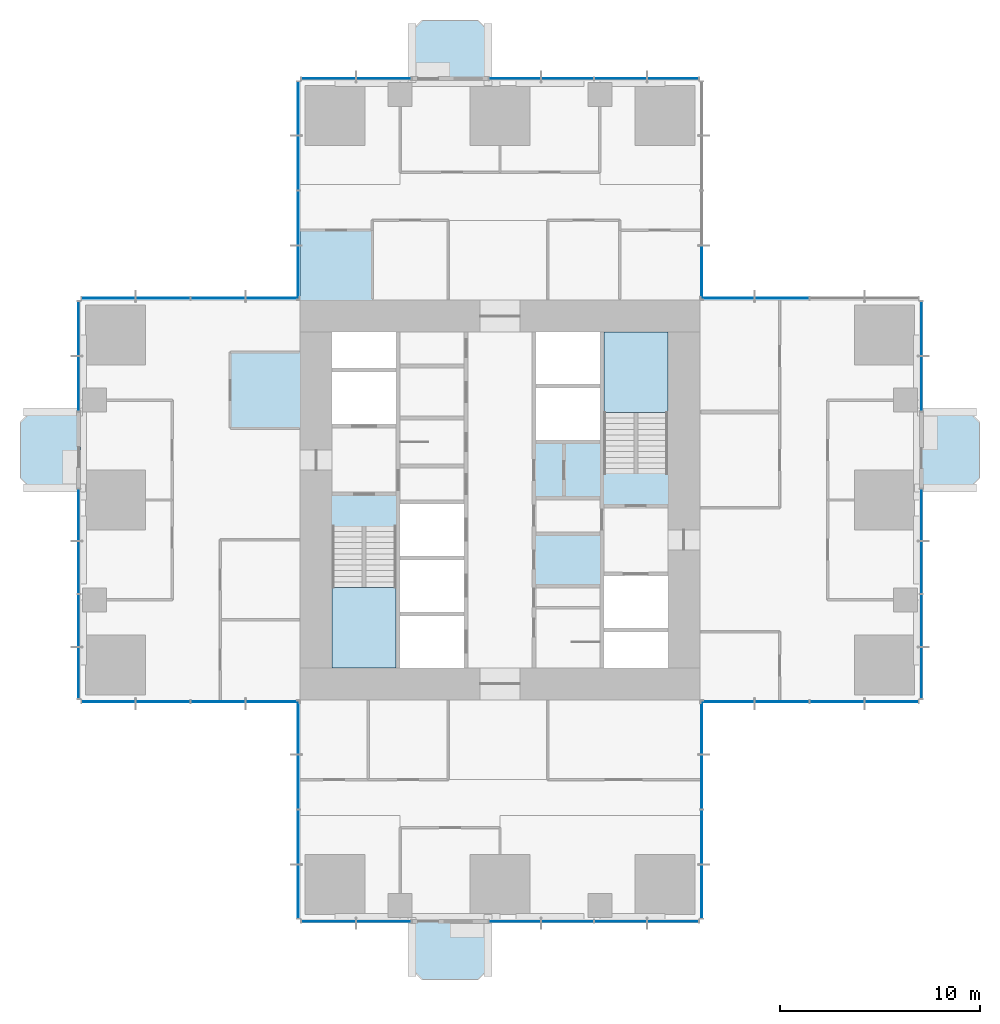
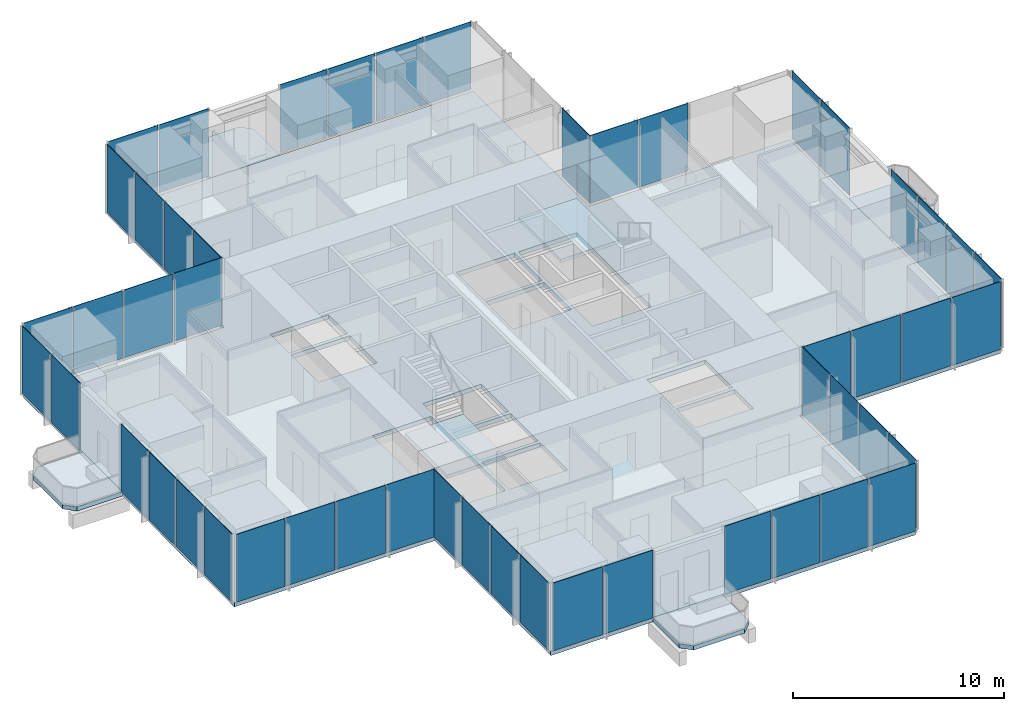
# One storey, part 7 of 14: 51 plates, 7 slabs, 18 elements without a shape of their own.
"""IFC4 building model written with IfcOpenShell, lengths in metres."""

import ifcopenshell
import ifcopenshell.guid

model = None  # the IFC model being written
_history = None  # IfcOwnerHistory: only IFC2X3 demands one
_inside = {}  # id of a spatial element -> (the spatial element, [elements in it])
_under = {}  # id of a project, library or spatial element -> (it, [spatial elements below it])
_declared = {}  # id of a project -> (the project, [libraries it declares])
_typed = {}  # id of a type object -> (the type object, [elements of that type])
_made_of = {}  # id of a material, layer set ... -> (it, [elements and type objects made of it])


def new_model(schema):
    """Start an empty IFC model of exactly this schema.

    Asked for "IFC4X3", IfcOpenShell would pick the latest addendum, in which some entities
    have other attributes; the version numbers below select the first issue.
    IFC2X3 requires an IfcOwnerHistory on every rooted entity: one is made here for all.
    """
    global model, _history
    if schema == "IFC4X3":
        model = ifcopenshell.file(schema_version=(4, 3, 0, 0))
    else:
        model = ifcopenshell.file(schema=schema)
    _inside.clear()
    _under.clear()
    _declared.clear()
    _typed.clear()
    _made_of.clear()
    _history = None
    if model.schema == "IFC2X3":
        org = make("IfcOrganization", Name="unknown")
        user = make(
            "IfcPersonAndOrganization",
            ThePerson=make("IfcPerson", FamilyName="unknown"),
            TheOrganization=org,
        )
        app = make(
            "IfcApplication",
            ApplicationDeveloper=org,
            Version="unknown",
            ApplicationFullName="unknown",
            ApplicationIdentifier="unknown",
        )
        _history = make(
            "IfcOwnerHistory",
            OwningUser=user,
            OwningApplication=app,
            ChangeAction="ADDED",
            CreationDate=0,
        )
    return model


def make(cls, **values):
    """One entity of the class cls with the attributes given. An attribute that is None is left unset."""
    return model.create_entity(
        cls, **{name: value for name, value in values.items() if value is not None}
    )


def rooted(cls, **values):
    """An entity with a GlobalId (a new one), such as an element, a storey or a relation."""
    return make(cls, GlobalId=ifcopenshell.guid.new(), OwnerHistory=_history, **values)


def si_unit(unit_type, name, prefix=None):
    """IfcSIUnit, for example si_unit("LENGTHUNIT", "METRE", prefix="MILLI")."""
    return make("IfcSIUnit", UnitType=unit_type, Prefix=prefix, Name=name)


def assignment(units):
    """IfcUnitAssignment: the units of a project."""
    return None if units is None else make("IfcUnitAssignment", Units=units)


def point(xyz):
    """IfcCartesianPoint."""
    return None if xyz is None else make("IfcCartesianPoint", Coordinates=xyz)


def direction(xyz):
    """IfcDirection."""
    return None if xyz is None else make("IfcDirection", DirectionRatios=xyz)


def frame(location, z_axis=None, x_axis=None):
    """IfcAxis2Placement3D, a coordinate frame: its origin and axes. An axis left out is left unset."""
    return make(
        "IfcAxis2Placement3D",
        Location=point(location),
        Axis=direction(z_axis),
        RefDirection=direction(x_axis),
    )


def frame_2d(location, x_axis=None):
    """IfcAxis2Placement2D, a coordinate frame in the plane: its origin and x axis."""
    return make(
        "IfcAxis2Placement2D", Location=point(location), RefDirection=direction(x_axis)
    )


def origin():
    """The frame at (0, 0, 0) with its axes left unset."""
    return frame((0.0, 0.0, 0.0))


def origin_2d():
    """The frame at (0, 0) in the plane with its x axis left unset."""
    return frame_2d((0.0, 0.0))


def place(relative_to, where):
    """IfcLocalPlacement: puts the frame where relative to a parent placement (None: the world)."""
    return make(
        "IfcLocalPlacement", PlacementRelTo=relative_to, RelativePlacement=where
    )


def context(
    kind, dimensions, precision=None, world=None, true_north=None, identifier=None
):
    """IfcGeometricRepresentationContext, for example the 3D "Model" context."""
    return make(
        "IfcGeometricRepresentationContext",
        ContextIdentifier=identifier,
        ContextType=kind,
        CoordinateSpaceDimension=dimensions,
        Precision=precision,
        WorldCoordinateSystem=world,
        TrueNorth=true_north,
    )


def subcontext(parent, identifier, kind, view, scale=None):
    """IfcGeometricRepresentationSubContext, for example "Body" below "Model"."""
    return make(
        "IfcGeometricRepresentationSubContext",
        ContextIdentifier=identifier,
        ContextType=kind,
        ParentContext=parent,
        TargetScale=scale,
        TargetView=view,
    )


def project(units=None, contexts=None):
    """IfcProject with its units and contexts."""
    return rooted(
        "IfcProject",
        Name="project",
        RepresentationContexts=contexts,
        UnitsInContext=assignment(units),
    )


def spatial(cls, under=None, at=None, **own):
    """A site, building, storey or space (cls), placed at a placement, below another one or the project."""
    s = rooted(cls, ObjectPlacement=at, **own)
    if under is not None:
        _under.setdefault(under.id(), (under, []))[1].append(s)
    return s


def polyline(points):
    """IfcPolyline through the points."""
    return make("IfcPolyline", Points=[point(p) for p in points])


def profile(cls, at=None, kind="AREA", **sizes):
    """A parametric profile (cls). Its sizes go by their IFC names, for example OverallWidth=200.0."""
    return make(cls, ProfileType=kind, Position=at, **sizes)


def rectangle(**sizes):
    """IfcRectangleProfileDef."""
    return profile("IfcRectangleProfileDef", **sizes)


def outline(outer, holes=None, kind="AREA"):
    """IfcArbitraryClosedProfileDef: a profile drawn as a closed curve; with holes, ...WithVoids."""
    if holes is None:
        return make("IfcArbitraryClosedProfileDef", ProfileType=kind, OuterCurve=outer)
    return make(
        "IfcArbitraryProfileDefWithVoids",
        ProfileType=kind,
        OuterCurve=outer,
        InnerCurves=holes,
    )


def extrude(swept, where, along, depth):
    """IfcExtrudedAreaSolid: the profile swept, set in the frame where, extruded along a direction by depth."""
    return make(
        "IfcExtrudedAreaSolid",
        SweptArea=swept,
        Position=where,
        ExtrudedDirection=direction(along),
        Depth=depth,
    )


def shape(context_of_items, identifier, shape_type, items):
    """IfcShapeRepresentation: the items that make up one representation, for example the "Body"."""
    return make(
        "IfcShapeRepresentation",
        ContextOfItems=context_of_items,
        RepresentationIdentifier=identifier,
        RepresentationType=shape_type,
        Items=items,
    )


def material(Name=None, Category=None):
    """IfcMaterial."""
    return make("IfcMaterial", Name=Name, Category=Category)


def layer(
    of_material, thickness, ventilated=None, Name=None, Category=None, Priority=None
):
    """IfcMaterialLayer: one layer of a wall or slab, of a material (None: an air gap)."""
    return make(
        "IfcMaterialLayer",
        Material=of_material,
        LayerThickness=thickness,
        IsVentilated=ventilated,
        Name=Name,
        Category=Category,
        Priority=Priority,
    )


def layer_set(layers, Name=None):
    """IfcMaterialLayerSet."""
    return make("IfcMaterialLayerSet", MaterialLayers=layers, LayerSetName=Name)


def made_of(thing, what):
    """Note that an element or type object is made of a material, layer set ...; save() writes the relation."""
    if what is not None:
        _made_of.setdefault(what.id(), (what, []))[1].append(thing)
    return thing


def type_object(cls, material=None, **own):
    """A type object (cls), such as IfcWallType, which elements share."""
    return made_of(rooted(cls, **own), material)


def element(
    cls,
    number,
    at=None,
    inside=None,
    cuts=None,
    type_object=None,
    material=None,
    context=None,
    identifier="Body",
    shape_type=None,
    held_by="IfcProductDefinitionShape",
    body=None,
    shapes=None,
    **own,
):
    """One element of the class cls, such as IfcWall. Its Tag is "e" and its number.

    at: its placement. inside: the storey or other place that contains it. cuts: it is an
    opening in that element (IfcRelVoidsElement). A single representation is given by context,
    identifier, shape_type and body (its items); several are given by shapes. held_by: the class
    of the entity that holds the representations. save() writes the other relations.
    """
    e = rooted(cls, Tag="e%d" % number, ObjectPlacement=at, **own)
    if body is not None:
        shapes = [shape(context, identifier, shape_type, body)]
    if shapes is not None:
        e.Representation = make(held_by, Representations=shapes)
    if inside is not None:
        _inside.setdefault(inside.id(), (inside, []))[1].append(e)
    if cuts is not None:
        rooted(
            "IfcRelVoidsElement", RelatingBuildingElement=cuts, RelatedOpeningElement=e
        )
    if type_object is not None:
        _typed.setdefault(type_object.id(), (type_object, []))[1].append(e)
    return made_of(e, material)


def aggregate(whole, parts):
    """IfcRelAggregates: a whole, such as a stair, and the parts it consists of."""
    return rooted("IfcRelAggregates", RelatingObject=whole, RelatedObjects=parts)


def save(model, path):
    """Write the relations noted so far, then the file.

    IfcRelAggregates (storeys below a building ...), IfcRelContainedInSpatialStructure (elements
    in a storey), IfcRelDefinesByType, IfcRelAssociatesMaterial and IfcRelDeclares: one each for
    every whole, place, type object, material and project.
    """
    for whole, parts in _under.values():
        aggregate(whole, parts)
    for where, things in _inside.values():
        rooted(
            "IfcRelContainedInSpatialStructure",
            RelatedElements=things,
            RelatingStructure=where,
        )
    for kind, things in _typed.values():
        rooted("IfcRelDefinesByType", RelatedObjects=things, RelatingType=kind)
    for what, things in _made_of.values():
        rooted("IfcRelAssociatesMaterial", RelatedObjects=things, RelatingMaterial=what)
    for by, libraries in _declared.values():
        rooted("IfcRelDeclares", RelatingContext=by, RelatedDefinitions=libraries)
    model.write(path)


model = new_model("IFC4")

# Units and contexts
model_context = context("Model", 3, precision=1e-05, world=origin(), true_north=direction((0.0, 1.0)))
body_context = subcontext(model_context, "Body", "Model", "MODEL_VIEW")
ifc_project = project(units=[si_unit("LENGTHUNIT", "METRE"), si_unit("AREAUNIT", "SQUARE_METRE"), si_unit("VOLUMEUNIT", "CUBIC_METRE"), si_unit("PLANEANGLEUNIT", "RADIAN"), si_unit("MASSUNIT", "GRAM", prefix="KILO")], contexts=[model_context])

# Site, building, storey
site_placement = place(None, origin())
site = spatial("IfcSite", under=ifc_project, at=site_placement, CompositionType="ELEMENT")
building_placement = place(site_placement, origin())
building = spatial("IfcBuilding", under=site, at=building_placement, Name="Svetlomir Tower", CompositionType="ELEMENT")
storey_placement = place(building_placement, frame((0.0, 0.0, 108.5)))
storey = spatial("IfcBuildingStorey", under=building, at=storey_placement, Name="L25", CompositionType="ELEMENT", Elevation=108.5)

# Slabs
ifc_material_1 = material(Name="Concrete C60/75", Category="concrete")
ifc_layer_1 = layer(ifc_material_1, 0.25)
ifc_layer_set_1 = layer_set([ifc_layer_1], Name="Concrete C60/75")
slab_type_1 = type_object("IfcSlabType", Name="BALCONY SLAB 250", PredefinedType="FLOOR", material=ifc_layer_set_1)
slab_1_placement = place(storey_placement, frame((0.0, 0.0, -0.25)))
element("IfcSlab", 1, at=slab_1_placement, inside=storey, type_object=slab_type_1, Name="L25 S planted balcony", PredefinedType="FLOOR", context=body_context, shape_type="SweptSolid", body=[
    extrude(outline(polyline([(16.60009765625, -2.5), (17.10009765625, -3.0), (19.89990234375, -3.0), (20.39990234375, -2.5), (20.39990234375, 0.0), (16.60009765625, 0.0), (16.60009765625, -2.5)])), origin(), (0.0, 0.0, 1.0), 0.25),
])
slab_2_placement = place(storey_placement, frame((0.0, 0.0, -0.25)))
element("IfcSlab", 2, at=slab_2_placement, inside=storey, type_object=slab_type_1, Name="L25 E planted balcony", PredefinedType="FLOOR", context=body_context, shape_type="SweptSolid", body=[
    extrude(outline(polyline([(42.0, 21.60009765625), (44.5, 21.60009765625), (45.0, 22.10009765625), (45.0, 24.89990234375), (44.5, 25.39990234375), (42.0, 25.39990234375), (42.0, 21.60009765625)])), origin(), (0.0, 0.0, 1.0), 0.25),
])
slab_3_placement = place(storey_placement, frame((0.0, 0.0, -0.25)))
element("IfcSlab", 3, at=slab_3_placement, inside=storey, type_object=slab_type_1, Name="L25 N planted balcony", PredefinedType="FLOOR", context=body_context, shape_type="SweptSolid", body=[
    extrude(outline(polyline([(16.60009765625, 42.0), (20.39990234375, 42.0), (20.39990234375, 44.5), (19.89990234375, 45.0), (17.10009765625, 45.0), (16.60009765625, 44.5), (16.60009765625, 42.0)])), origin(), (0.0, 0.0, 1.0), 0.25),
])
slab_4_placement = place(storey_placement, frame((0.0, 0.0, -0.25)))
element("IfcSlab", 4, at=slab_4_placement, inside=storey, type_object=slab_type_1, Name="L25 W planted balcony", PredefinedType="FLOOR", context=body_context, shape_type="SweptSolid", body=[
    extrude(outline(polyline([(-2.5, 21.60009765625), (0.0, 21.60009765625), (0.0, 25.39990234375), (-2.5, 25.39990234375), (-3.0, 24.89990234375), (-3.0, 22.10009765625), (-2.5, 21.60009765625)])), origin(), (0.0, 0.0, 1.0), 0.25),
])

# Curtain wall, plates
ifc_material_2 = material(Name="Bronze anodised aluminium curtain wall", Category="aluminium")
curtain_wall_type = type_object("IfcCurtainWallType", Name="CURTAIN WALL CW1 TOWER OFFICE", PredefinedType="NOTDEFINED", material=ifc_material_2)
curtain_wall_1_placement = place(storey_placement, origin())
curtain_wall_1 = element("IfcCurtainWall", 5, at=curtain_wall_1_placement, inside=storey, type_object=curtain_wall_type, Name="Curtain wall CW1 L25", PredefinedType="NOTDEFINED")
ifc_material_3 = material(Name="Tinted double glazed unit", Category="glass")
ifc_layer_2 = layer(ifc_material_3, 0.031982421875)
ifc_layer_set_2 = layer_set([ifc_layer_2], Name="Tinted double glazed unit")
plate_type = type_object("IfcPlateType", Name="CW1 GLAZED PANEL 32", PredefinedType="CURTAIN_PANEL", material=ifc_layer_set_2)
plate_1_placement = place(storey_placement, frame((12.416259765625, -0.10009765625, 0.06494140625), z_axis=(0.0, 0.0, 1.0), x_axis=(1.0, 0.0, 0.0)))
plate_1 = element("IfcPlate", 6, at=plate_1_placement, type_object=plate_type, Name="CW1 panel 1.1", PredefinedType="CURTAIN_PANEL", context=body_context, shape_type="SweptSolid", body=[
    extrude(rectangle(XDim=2.702392578125, YDim=0.031982421875, at=origin_2d()), origin(), (0.0, 0.0, 1.0), 3.93505859375),
])
plate_2_placement = place(storey_placement, frame((15.183837890625, -0.10009765625, 0.06494140625), z_axis=(0.0, 0.0, 1.0), x_axis=(1.0, 0.0, 0.0)))
plate_2 = element("IfcPlate", 7, at=plate_2_placement, type_object=plate_type, Name="CW1 panel 2.1", PredefinedType="CURTAIN_PANEL", context=body_context, shape_type="SweptSolid", body=[
    extrude(rectangle(XDim=2.702392578125, YDim=0.031982421875, at=origin_2d()), origin(), (0.0, 0.0, 1.0), 3.93505859375),
])
aggregate(curtain_wall_1, [plate_1, plate_2])

curtain_wall_2_placement = place(storey_placement, origin())
curtain_wall_2 = element("IfcCurtainWall", 8, at=curtain_wall_2_placement, inside=storey, type_object=curtain_wall_type, Name="Curtain wall CW1 L25", PredefinedType="NOTDEFINED")
plate_3_placement = place(storey_placement, frame((21.7412109375, -0.10009765625, 0.06494140625), z_axis=(0.0, 0.0, 1.0), x_axis=(1.0, 0.0, 0.0)))
plate_3 = element("IfcPlate", 9, at=plate_3_placement, type_object=plate_type, Name="CW1 panel 1.1", PredefinedType="CURTAIN_PANEL", context=body_context, shape_type="SweptSolid", body=[
    extrude(rectangle(XDim=2.552490234375, YDim=0.031982421875, at=origin_2d()), origin(), (0.0, 0.0, 1.0), 3.93505859375),
])
plate_4_placement = place(storey_placement, frame((24.375, -0.10009765625, 0.06494140625), z_axis=(0.0, 0.0, 1.0), x_axis=(1.0, 0.0, 0.0)))
plate_4 = element("IfcPlate", 10, at=plate_4_placement, type_object=plate_type, Name="CW1 panel 2.1", PredefinedType="CURTAIN_PANEL", context=body_context, shape_type="SweptSolid", body=[
    extrude(rectangle(XDim=2.5849609375, YDim=0.031982421875, at=origin_2d()), origin(), (0.0, 0.0, 1.0), 3.93505859375),
])
plate_5_placement = place(storey_placement, frame((27.02490234375, -0.10009765625, 0.06494140625), z_axis=(0.0, 0.0, 1.0), x_axis=(1.0, 0.0, 0.0)))
plate_5 = element("IfcPlate", 11, at=plate_5_placement, type_object=plate_type, Name="CW1 panel 3.1", PredefinedType="CURTAIN_PANEL", context=body_context, shape_type="SweptSolid", body=[
    extrude(rectangle(XDim=2.5849609375, YDim=0.031982421875, at=origin_2d()), origin(), (0.0, 0.0, 1.0), 3.93505859375),
])
plate_6_placement = place(storey_placement, frame((29.65869140625, -0.10009765625, 0.06494140625), z_axis=(0.0, 0.0, 1.0), x_axis=(1.0, 0.0, 0.0)))
plate_6 = element("IfcPlate", 12, at=plate_6_placement, type_object=plate_type, Name="CW1 panel 4.1", PredefinedType="CURTAIN_PANEL", context=body_context, shape_type="SweptSolid", body=[
    extrude(rectangle(XDim=2.552490234375, YDim=0.031982421875, at=origin_2d()), origin(), (0.0, 0.0, 1.0), 3.93505859375),
])
aggregate(curtain_wall_2, [plate_3, plate_4, plate_5, plate_6])

curtain_wall_3_placement = place(storey_placement, origin())
curtain_wall_3 = element("IfcCurtainWall", 13, at=curtain_wall_3_placement, inside=storey, type_object=curtain_wall_type, Name="Curtain wall CW1 L25", PredefinedType="NOTDEFINED")
plate_7_placement = place(storey_placement, frame((31.10009765625, 1.391357421875, 0.06494140625), z_axis=(0.0, 0.0, 1.0), x_axis=(0.0, 1.0, 0.0)))
plate_7 = element("IfcPlate", 14, at=plate_7_placement, type_object=plate_type, Name="CW1 panel 1.1", PredefinedType="CURTAIN_PANEL", context=body_context, shape_type="SweptSolid", body=[
    extrude(rectangle(XDim=2.652587890625, YDim=0.031982421875, at=origin_2d()), origin(), (0.0, 0.0, 1.0), 3.93505859375),
])
plate_8_placement = place(storey_placement, frame((31.10009765625, 4.125, 0.06494140625), z_axis=(0.0, 0.0, 1.0), x_axis=(0.0, 1.0, 0.0)))
plate_8 = element("IfcPlate", 15, at=plate_8_placement, type_object=plate_type, Name="CW1 panel 2.1", PredefinedType="CURTAIN_PANEL", context=body_context, shape_type="SweptSolid", body=[
    extrude(rectangle(XDim=2.68505859375, YDim=0.031982421875, at=origin_2d()), origin(), (0.0, 0.0, 1.0), 3.93505859375),
])
plate_9_placement = place(storey_placement, frame((31.10009765625, 6.875, 0.06494140625), z_axis=(0.0, 0.0, 1.0), x_axis=(0.0, 1.0, 0.0)))
plate_9 = element("IfcPlate", 16, at=plate_9_placement, type_object=plate_type, Name="CW1 panel 3.1", PredefinedType="CURTAIN_PANEL", context=body_context, shape_type="SweptSolid", body=[
    extrude(rectangle(XDim=2.68505859375, YDim=0.031982421875, at=origin_2d()), origin(), (0.0, 0.0, 1.0), 3.93505859375),
])
plate_10_placement = place(storey_placement, frame((31.10009765625, 9.608642578125, 0.06494140625), z_axis=(0.0, 0.0, 1.0), x_axis=(0.0, 1.0, 0.0)))
plate_10 = element("IfcPlate", 17, at=plate_10_placement, type_object=plate_type, Name="CW1 panel 4.1", PredefinedType="CURTAIN_PANEL", context=body_context, shape_type="SweptSolid", body=[
    extrude(rectangle(XDim=2.652587890625, YDim=0.031982421875, at=origin_2d()), origin(), (0.0, 0.0, 1.0), 3.93505859375),
])
aggregate(curtain_wall_3, [plate_7, plate_8, plate_9, plate_10])

curtain_wall_4_placement = place(storey_placement, origin())
curtain_wall_4 = element("IfcCurtainWall", 18, at=curtain_wall_4_placement, inside=storey, type_object=curtain_wall_type, Name="Curtain wall CW1 L25", PredefinedType="NOTDEFINED")
plate_11_placement = place(storey_placement, frame((32.391357421875, 10.89990234375, 0.06494140625), z_axis=(0.0, 0.0, 1.0), x_axis=(1.0, 0.0, 0.0)))
plate_11 = element("IfcPlate", 19, at=plate_11_placement, type_object=plate_type, Name="CW1 panel 1.1", PredefinedType="CURTAIN_PANEL", context=body_context, shape_type="SweptSolid", body=[
    extrude(rectangle(XDim=2.652587890625, YDim=0.031982421875, at=origin_2d()), origin(), (0.0, 0.0, 1.0), 3.93505859375),
])
plate_12_placement = place(storey_placement, frame((35.125, 10.89990234375, 0.06494140625), z_axis=(0.0, 0.0, 1.0), x_axis=(1.0, 0.0, 0.0)))
plate_12 = element("IfcPlate", 20, at=plate_12_placement, type_object=plate_type, Name="CW1 panel 2.1", PredefinedType="CURTAIN_PANEL", context=body_context, shape_type="SweptSolid", body=[
    extrude(rectangle(XDim=2.68505859375, YDim=0.031982421875, at=origin_2d()), origin(), (0.0, 0.0, 1.0), 3.93505859375),
])
plate_13_placement = place(storey_placement, frame((37.875, 10.89990234375, 0.06494140625), z_axis=(0.0, 0.0, 1.0), x_axis=(1.0, 0.0, 0.0)))
plate_13 = element("IfcPlate", 21, at=plate_13_placement, type_object=plate_type, Name="CW1 panel 3.1", PredefinedType="CURTAIN_PANEL", context=body_context, shape_type="SweptSolid", body=[
    extrude(rectangle(XDim=2.68505859375, YDim=0.031982421875, at=origin_2d()), origin(), (0.0, 0.0, 1.0), 3.93505859375),
])
plate_14_placement = place(storey_placement, frame((40.608642578125, 10.89990234375, 0.06494140625), z_axis=(0.0, 0.0, 1.0), x_axis=(1.0, 0.0, 0.0)))
plate_14 = element("IfcPlate", 22, at=plate_14_placement, type_object=plate_type, Name="CW1 panel 4.1", PredefinedType="CURTAIN_PANEL", context=body_context, shape_type="SweptSolid", body=[
    extrude(rectangle(XDim=2.652587890625, YDim=0.031982421875, at=origin_2d()), origin(), (0.0, 0.0, 1.0), 3.93505859375),
])
aggregate(curtain_wall_4, [plate_11, plate_12, plate_13, plate_14])

curtain_wall_5_placement = place(storey_placement, origin())
curtain_wall_5 = element("IfcCurtainWall", 23, at=curtain_wall_5_placement, inside=storey, type_object=curtain_wall_type, Name="Curtain wall CW1 L25", PredefinedType="NOTDEFINED")
plate_15_placement = place(storey_placement, frame((42.10009765625, 12.34130859375, 0.06494140625), z_axis=(0.0, 0.0, 1.0), x_axis=(0.0, 1.0, 0.0)))
plate_15 = element("IfcPlate", 24, at=plate_15_placement, type_object=plate_type, Name="CW1 panel 1.1", PredefinedType="CURTAIN_PANEL", context=body_context, shape_type="SweptSolid", body=[
    extrude(rectangle(XDim=2.552490234375, YDim=0.031982421875, at=origin_2d()), origin(), (0.0, 0.0, 1.0), 3.93505859375),
])
plate_16_placement = place(storey_placement, frame((42.10009765625, 14.97509765625, 0.06494140625), z_axis=(0.0, 0.0, 1.0), x_axis=(0.0, 1.0, 0.0)))
plate_16 = element("IfcPlate", 25, at=plate_16_placement, type_object=plate_type, Name="CW1 panel 2.1", PredefinedType="CURTAIN_PANEL", context=body_context, shape_type="SweptSolid", body=[
    extrude(rectangle(XDim=2.5849609375, YDim=0.031982421875, at=origin_2d()), origin(), (0.0, 0.0, 1.0), 3.93505859375),
])
plate_17_placement = place(storey_placement, frame((42.10009765625, 17.625, 0.06494140625), z_axis=(0.0, 0.0, 1.0), x_axis=(0.0, 1.0, 0.0)))
plate_17 = element("IfcPlate", 26, at=plate_17_placement, type_object=plate_type, Name="CW1 panel 3.1", PredefinedType="CURTAIN_PANEL", context=body_context, shape_type="SweptSolid", body=[
    extrude(rectangle(XDim=2.5849609375, YDim=0.031982421875, at=origin_2d()), origin(), (0.0, 0.0, 1.0), 3.93505859375),
])
plate_18_placement = place(storey_placement, frame((42.10009765625, 20.2587890625, 0.06494140625), z_axis=(0.0, 0.0, 1.0), x_axis=(0.0, 1.0, 0.0)))
plate_18 = element("IfcPlate", 27, at=plate_18_placement, type_object=plate_type, Name="CW1 panel 4.1", PredefinedType="CURTAIN_PANEL", context=body_context, shape_type="SweptSolid", body=[
    extrude(rectangle(XDim=2.552490234375, YDim=0.031982421875, at=origin_2d()), origin(), (0.0, 0.0, 1.0), 3.93505859375),
])
aggregate(curtain_wall_5, [plate_15, plate_16, plate_17, plate_18])

curtain_wall_6_placement = place(storey_placement, origin())
curtain_wall_6 = element("IfcCurtainWall", 28, at=curtain_wall_6_placement, inside=storey, type_object=curtain_wall_type, Name="Curtain wall CW1 L25", PredefinedType="NOTDEFINED")
plate_19_placement = place(storey_placement, frame((42.10009765625, 26.816162109375, 0.06494140625), z_axis=(0.0, 0.0, 1.0), x_axis=(0.0, 1.0, 0.0)))
plate_19 = element("IfcPlate", 29, at=plate_19_placement, type_object=plate_type, Name="CW1 panel 1.1", PredefinedType="CURTAIN_PANEL", context=body_context, shape_type="SweptSolid", body=[
    extrude(rectangle(XDim=2.702392578125, YDim=0.031982421875, at=origin_2d()), origin(), (0.0, 0.0, 1.0), 3.93505859375),
])
plate_20_placement = place(storey_placement, frame((42.10009765625, 29.583740234375, 0.06494140625), z_axis=(0.0, 0.0, 1.0), x_axis=(0.0, 1.0, 0.0)))
plate_20 = element("IfcPlate", 30, at=plate_20_placement, type_object=plate_type, Name="CW1 panel 2.1", PredefinedType="CURTAIN_PANEL", context=body_context, shape_type="SweptSolid", body=[
    extrude(rectangle(XDim=2.702392578125, YDim=0.031982421875, at=origin_2d()), origin(), (0.0, 0.0, 1.0), 3.93505859375),
])
aggregate(curtain_wall_6, [plate_19, plate_20])

curtain_wall_7_placement = place(storey_placement, origin())
curtain_wall_7 = element("IfcCurtainWall", 31, at=curtain_wall_7_placement, inside=storey, type_object=curtain_wall_type, Name="Curtain wall CW1 L25", PredefinedType="NOTDEFINED")
plate_21_placement = place(storey_placement, frame((35.125, 31.10009765625, 0.06494140625), z_axis=(0.0, 0.0, 1.0), x_axis=(-1.0, 0.0, 0.0)))
plate_21 = element("IfcPlate", 32, at=plate_21_placement, type_object=plate_type, Name="CW1 panel 3.1", PredefinedType="CURTAIN_PANEL", context=body_context, shape_type="SweptSolid", body=[
    extrude(rectangle(XDim=2.68505859375, YDim=0.031982421875, at=origin_2d()), origin(), (0.0, 0.0, 1.0), 3.93505859375),
])
plate_22_placement = place(storey_placement, frame((32.391357421875, 31.10009765625, 0.06494140625), z_axis=(0.0, 0.0, 1.0), x_axis=(-1.0, 0.0, 0.0)))
plate_22 = element("IfcPlate", 33, at=plate_22_placement, type_object=plate_type, Name="CW1 panel 4.1", PredefinedType="CURTAIN_PANEL", context=body_context, shape_type="SweptSolid", body=[
    extrude(rectangle(XDim=2.652587890625, YDim=0.031982421875, at=origin_2d()), origin(), (0.0, 0.0, 1.0), 3.93505859375),
])
aggregate(curtain_wall_7, [plate_21, plate_22])

# Curtain wall, plate
curtain_wall_8_placement = place(storey_placement, origin())
curtain_wall_8 = element("IfcCurtainWall", 34, at=curtain_wall_8_placement, inside=storey, type_object=curtain_wall_type, Name="Curtain wall CW1 L25", PredefinedType="NOTDEFINED")
plate_23_placement = place(storey_placement, frame((31.10009765625, 32.391357421875, 0.06494140625), z_axis=(0.0, 0.0, 1.0), x_axis=(0.0, 1.0, 0.0)))
plate_23 = element("IfcPlate", 35, at=plate_23_placement, type_object=plate_type, Name="CW1 panel 1.1", PredefinedType="CURTAIN_PANEL", context=body_context, shape_type="SweptSolid", body=[
    extrude(rectangle(XDim=2.652587890625, YDim=0.031982421875, at=origin_2d()), origin(), (0.0, 0.0, 1.0), 3.93505859375),
])
aggregate(curtain_wall_8, [plate_23])

# Curtain wall, plates
curtain_wall_9_placement = place(storey_placement, origin())
curtain_wall_9 = element("IfcCurtainWall", 36, at=curtain_wall_9_placement, inside=storey, type_object=curtain_wall_type, Name="Curtain wall CW1 L25", PredefinedType="NOTDEFINED")
plate_24_placement = place(storey_placement, frame((29.65869140625, 42.10009765625, 0.06494140625), z_axis=(0.0, 0.0, 1.0), x_axis=(-1.0, 0.0, 0.0)))
plate_24 = element("IfcPlate", 37, at=plate_24_placement, type_object=plate_type, Name="CW1 panel 1.1", PredefinedType="CURTAIN_PANEL", context=body_context, shape_type="SweptSolid", body=[
    extrude(rectangle(XDim=2.552490234375, YDim=0.031982421875, at=origin_2d()), origin(), (0.0, 0.0, 1.0), 3.93505859375),
])
plate_25_placement = place(storey_placement, frame((27.02490234375, 42.10009765625, 0.06494140625), z_axis=(0.0, 0.0, 1.0), x_axis=(-1.0, 0.0, 0.0)))
plate_25 = element("IfcPlate", 38, at=plate_25_placement, type_object=plate_type, Name="CW1 panel 2.1", PredefinedType="CURTAIN_PANEL", context=body_context, shape_type="SweptSolid", body=[
    extrude(rectangle(XDim=2.5849609375, YDim=0.031982421875, at=origin_2d()), origin(), (0.0, 0.0, 1.0), 3.93505859375),
])
plate_26_placement = place(storey_placement, frame((24.375, 42.10009765625, 0.06494140625), z_axis=(0.0, 0.0, 1.0), x_axis=(-1.0, 0.0, 0.0)))
plate_26 = element("IfcPlate", 39, at=plate_26_placement, type_object=plate_type, Name="CW1 panel 3.1", PredefinedType="CURTAIN_PANEL", context=body_context, shape_type="SweptSolid", body=[
    extrude(rectangle(XDim=2.5849609375, YDim=0.031982421875, at=origin_2d()), origin(), (0.0, 0.0, 1.0), 3.93505859375),
])
plate_27_placement = place(storey_placement, frame((21.7412109375, 42.10009765625, 0.06494140625), z_axis=(0.0, 0.0, 1.0), x_axis=(-1.0, 0.0, 0.0)))
plate_27 = element("IfcPlate", 40, at=plate_27_placement, type_object=plate_type, Name="CW1 panel 4.1", PredefinedType="CURTAIN_PANEL", context=body_context, shape_type="SweptSolid", body=[
    extrude(rectangle(XDim=2.552490234375, YDim=0.031982421875, at=origin_2d()), origin(), (0.0, 0.0, 1.0), 3.93505859375),
])
aggregate(curtain_wall_9, [plate_24, plate_25, plate_26, plate_27])

curtain_wall_10_placement = place(storey_placement, origin())
curtain_wall_10 = element("IfcCurtainWall", 41, at=curtain_wall_10_placement, inside=storey, type_object=curtain_wall_type, Name="Curtain wall CW1 L25", PredefinedType="NOTDEFINED")
plate_28_placement = place(storey_placement, frame((15.183837890625, 42.10009765625, 0.06494140625), z_axis=(0.0, 0.0, 1.0), x_axis=(-1.0, 0.0, 0.0)))
plate_28 = element("IfcPlate", 42, at=plate_28_placement, type_object=plate_type, Name="CW1 panel 1.1", PredefinedType="CURTAIN_PANEL", context=body_context, shape_type="SweptSolid", body=[
    extrude(rectangle(XDim=2.702392578125, YDim=0.031982421875, at=origin_2d()), origin(), (0.0, 0.0, 1.0), 3.93505859375),
])
plate_29_placement = place(storey_placement, frame((12.416259765625, 42.10009765625, 0.06494140625), z_axis=(0.0, 0.0, 1.0), x_axis=(-1.0, 0.0, 0.0)))
plate_29 = element("IfcPlate", 43, at=plate_29_placement, type_object=plate_type, Name="CW1 panel 2.1", PredefinedType="CURTAIN_PANEL", context=body_context, shape_type="SweptSolid", body=[
    extrude(rectangle(XDim=2.702392578125, YDim=0.031982421875, at=origin_2d()), origin(), (0.0, 0.0, 1.0), 3.93505859375),
])
aggregate(curtain_wall_10, [plate_28, plate_29])

curtain_wall_11_placement = place(storey_placement, origin())
curtain_wall_11 = element("IfcCurtainWall", 44, at=curtain_wall_11_placement, inside=storey, type_object=curtain_wall_type, Name="Curtain wall CW1 L25", PredefinedType="NOTDEFINED")
plate_30_placement = place(storey_placement, frame((10.89990234375, 40.608642578125, 0.06494140625), z_axis=(0.0, 0.0, 1.0), x_axis=(0.0, -1.0, 0.0)))
plate_30 = element("IfcPlate", 45, at=plate_30_placement, type_object=plate_type, Name="CW1 panel 1.1", PredefinedType="CURTAIN_PANEL", context=body_context, shape_type="SweptSolid", body=[
    extrude(rectangle(XDim=2.652587890625, YDim=0.031982421875, at=origin_2d()), origin(), (0.0, 0.0, 1.0), 3.93505859375),
])
plate_31_placement = place(storey_placement, frame((10.89990234375, 37.875, 0.06494140625), z_axis=(0.0, 0.0, 1.0), x_axis=(0.0, -1.0, 0.0)))
plate_31 = element("IfcPlate", 46, at=plate_31_placement, type_object=plate_type, Name="CW1 panel 2.1", PredefinedType="CURTAIN_PANEL", context=body_context, shape_type="SweptSolid", body=[
    extrude(rectangle(XDim=2.68505859375, YDim=0.031982421875, at=origin_2d()), origin(), (0.0, 0.0, 1.0), 3.93505859375),
])
plate_32_placement = place(storey_placement, frame((10.89990234375, 35.125, 0.06494140625), z_axis=(0.0, 0.0, 1.0), x_axis=(0.0, -1.0, 0.0)))
plate_32 = element("IfcPlate", 47, at=plate_32_placement, type_object=plate_type, Name="CW1 panel 3.1", PredefinedType="CURTAIN_PANEL", context=body_context, shape_type="SweptSolid", body=[
    extrude(rectangle(XDim=2.68505859375, YDim=0.031982421875, at=origin_2d()), origin(), (0.0, 0.0, 1.0), 3.93505859375),
])
plate_33_placement = place(storey_placement, frame((10.89990234375, 32.391357421875, 0.06494140625), z_axis=(0.0, 0.0, 1.0), x_axis=(0.0, -1.0, 0.0)))
plate_33 = element("IfcPlate", 48, at=plate_33_placement, type_object=plate_type, Name="CW1 panel 4.1", PredefinedType="CURTAIN_PANEL", context=body_context, shape_type="SweptSolid", body=[
    extrude(rectangle(XDim=2.652587890625, YDim=0.031982421875, at=origin_2d()), origin(), (0.0, 0.0, 1.0), 3.93505859375),
])
aggregate(curtain_wall_11, [plate_30, plate_31, plate_32, plate_33])

curtain_wall_12_placement = place(storey_placement, origin())
curtain_wall_12 = element("IfcCurtainWall", 49, at=curtain_wall_12_placement, inside=storey, type_object=curtain_wall_type, Name="Curtain wall CW1 L25", PredefinedType="NOTDEFINED")
plate_34_placement = place(storey_placement, frame((9.608642578125, 31.10009765625, 0.06494140625), z_axis=(0.0, 0.0, 1.0), x_axis=(-1.0, 0.0, 0.0)))
plate_34 = element("IfcPlate", 50, at=plate_34_placement, type_object=plate_type, Name="CW1 panel 1.1", PredefinedType="CURTAIN_PANEL", context=body_context, shape_type="SweptSolid", body=[
    extrude(rectangle(XDim=2.652587890625, YDim=0.031982421875, at=origin_2d()), origin(), (0.0, 0.0, 1.0), 3.93505859375),
])
plate_35_placement = place(storey_placement, frame((6.875, 31.10009765625, 0.06494140625), z_axis=(0.0, 0.0, 1.0), x_axis=(-1.0, 0.0, 0.0)))
plate_35 = element("IfcPlate", 51, at=plate_35_placement, type_object=plate_type, Name="CW1 panel 2.1", PredefinedType="CURTAIN_PANEL", context=body_context, shape_type="SweptSolid", body=[
    extrude(rectangle(XDim=2.68505859375, YDim=0.031982421875, at=origin_2d()), origin(), (0.0, 0.0, 1.0), 3.93505859375),
])
plate_36_placement = place(storey_placement, frame((4.125, 31.10009765625, 0.06494140625), z_axis=(0.0, 0.0, 1.0), x_axis=(-1.0, 0.0, 0.0)))
plate_36 = element("IfcPlate", 52, at=plate_36_placement, type_object=plate_type, Name="CW1 panel 3.1", PredefinedType="CURTAIN_PANEL", context=body_context, shape_type="SweptSolid", body=[
    extrude(rectangle(XDim=2.68505859375, YDim=0.031982421875, at=origin_2d()), origin(), (0.0, 0.0, 1.0), 3.93505859375),
])
plate_37_placement = place(storey_placement, frame((1.391357421875, 31.10009765625, 0.06494140625), z_axis=(0.0, 0.0, 1.0), x_axis=(-1.0, 0.0, 0.0)))
plate_37 = element("IfcPlate", 53, at=plate_37_placement, type_object=plate_type, Name="CW1 panel 4.1", PredefinedType="CURTAIN_PANEL", context=body_context, shape_type="SweptSolid", body=[
    extrude(rectangle(XDim=2.652587890625, YDim=0.031982421875, at=origin_2d()), origin(), (0.0, 0.0, 1.0), 3.93505859375),
])
aggregate(curtain_wall_12, [plate_34, plate_35, plate_36, plate_37])

curtain_wall_13_placement = place(storey_placement, origin())
curtain_wall_13 = element("IfcCurtainWall", 54, at=curtain_wall_13_placement, inside=storey, type_object=curtain_wall_type, Name="Curtain wall CW1 L25", PredefinedType="NOTDEFINED")
plate_38_placement = place(storey_placement, frame((-0.10009765625, 29.583740234375, 0.06494140625), z_axis=(0.0, 0.0, 1.0), x_axis=(0.0, -1.0, 0.0)))
plate_38 = element("IfcPlate", 55, at=plate_38_placement, type_object=plate_type, Name="CW1 panel 1.1", PredefinedType="CURTAIN_PANEL", context=body_context, shape_type="SweptSolid", body=[
    extrude(rectangle(XDim=2.702392578125, YDim=0.031982421875, at=origin_2d()), origin(), (0.0, 0.0, 1.0), 3.93505859375),
])
plate_39_placement = place(storey_placement, frame((-0.10009765625, 26.816162109375, 0.06494140625), z_axis=(0.0, 0.0, 1.0), x_axis=(0.0, -1.0, 0.0)))
plate_39 = element("IfcPlate", 56, at=plate_39_placement, type_object=plate_type, Name="CW1 panel 2.1", PredefinedType="CURTAIN_PANEL", context=body_context, shape_type="SweptSolid", body=[
    extrude(rectangle(XDim=2.702392578125, YDim=0.031982421875, at=origin_2d()), origin(), (0.0, 0.0, 1.0), 3.93505859375),
])
aggregate(curtain_wall_13, [plate_38, plate_39])

curtain_wall_14_placement = place(storey_placement, origin())
curtain_wall_14 = element("IfcCurtainWall", 57, at=curtain_wall_14_placement, inside=storey, type_object=curtain_wall_type, Name="Curtain wall CW1 L25", PredefinedType="NOTDEFINED")
plate_40_placement = place(storey_placement, frame((-0.10009765625, 20.2587890625, 0.06494140625), z_axis=(0.0, 0.0, 1.0), x_axis=(0.0, -1.0, 0.0)))
plate_40 = element("IfcPlate", 58, at=plate_40_placement, type_object=plate_type, Name="CW1 panel 1.1", PredefinedType="CURTAIN_PANEL", context=body_context, shape_type="SweptSolid", body=[
    extrude(rectangle(XDim=2.552490234375, YDim=0.031982421875, at=origin_2d()), origin(), (0.0, 0.0, 1.0), 3.93505859375),
])
plate_41_placement = place(storey_placement, frame((-0.10009765625, 17.625, 0.06494140625), z_axis=(0.0, 0.0, 1.0), x_axis=(0.0, -1.0, 0.0)))
plate_41 = element("IfcPlate", 59, at=plate_41_placement, type_object=plate_type, Name="CW1 panel 2.1", PredefinedType="CURTAIN_PANEL", context=body_context, shape_type="SweptSolid", body=[
    extrude(rectangle(XDim=2.5849609375, YDim=0.031982421875, at=origin_2d()), origin(), (0.0, 0.0, 1.0), 3.93505859375),
])
plate_42_placement = place(storey_placement, frame((-0.10009765625, 14.97509765625, 0.06494140625), z_axis=(0.0, 0.0, 1.0), x_axis=(0.0, -1.0, 0.0)))
plate_42 = element("IfcPlate", 60, at=plate_42_placement, type_object=plate_type, Name="CW1 panel 3.1", PredefinedType="CURTAIN_PANEL", context=body_context, shape_type="SweptSolid", body=[
    extrude(rectangle(XDim=2.5849609375, YDim=0.031982421875, at=origin_2d()), origin(), (0.0, 0.0, 1.0), 3.93505859375),
])
plate_43_placement = place(storey_placement, frame((-0.10009765625, 12.34130859375, 0.06494140625), z_axis=(0.0, 0.0, 1.0), x_axis=(0.0, -1.0, 0.0)))
plate_43 = element("IfcPlate", 61, at=plate_43_placement, type_object=plate_type, Name="CW1 panel 4.1", PredefinedType="CURTAIN_PANEL", context=body_context, shape_type="SweptSolid", body=[
    extrude(rectangle(XDim=2.552490234375, YDim=0.031982421875, at=origin_2d()), origin(), (0.0, 0.0, 1.0), 3.93505859375),
])
aggregate(curtain_wall_14, [plate_40, plate_41, plate_42, plate_43])

curtain_wall_15_placement = place(storey_placement, origin())
curtain_wall_15 = element("IfcCurtainWall", 62, at=curtain_wall_15_placement, inside=storey, type_object=curtain_wall_type, Name="Curtain wall CW1 L25", PredefinedType="NOTDEFINED")
plate_44_placement = place(storey_placement, frame((1.391357421875, 10.89990234375, 0.06494140625), z_axis=(0.0, 0.0, 1.0), x_axis=(1.0, 0.0, 0.0)))
plate_44 = element("IfcPlate", 63, at=plate_44_placement, type_object=plate_type, Name="CW1 panel 1.1", PredefinedType="CURTAIN_PANEL", context=body_context, shape_type="SweptSolid", body=[
    extrude(rectangle(XDim=2.652587890625, YDim=0.031982421875, at=origin_2d()), origin(), (0.0, 0.0, 1.0), 3.93505859375),
])
plate_45_placement = place(storey_placement, frame((4.125, 10.89990234375, 0.06494140625), z_axis=(0.0, 0.0, 1.0), x_axis=(1.0, 0.0, 0.0)))
plate_45 = element("IfcPlate", 64, at=plate_45_placement, type_object=plate_type, Name="CW1 panel 2.1", PredefinedType="CURTAIN_PANEL", context=body_context, shape_type="SweptSolid", body=[
    extrude(rectangle(XDim=2.68505859375, YDim=0.031982421875, at=origin_2d()), origin(), (0.0, 0.0, 1.0), 3.93505859375),
])
plate_46_placement = place(storey_placement, frame((6.875, 10.89990234375, 0.06494140625), z_axis=(0.0, 0.0, 1.0), x_axis=(1.0, 0.0, 0.0)))
plate_46 = element("IfcPlate", 65, at=plate_46_placement, type_object=plate_type, Name="CW1 panel 3.1", PredefinedType="CURTAIN_PANEL", context=body_context, shape_type="SweptSolid", body=[
    extrude(rectangle(XDim=2.68505859375, YDim=0.031982421875, at=origin_2d()), origin(), (0.0, 0.0, 1.0), 3.93505859375),
])
plate_47_placement = place(storey_placement, frame((9.608642578125, 10.89990234375, 0.06494140625), z_axis=(0.0, 0.0, 1.0), x_axis=(1.0, 0.0, 0.0)))
plate_47 = element("IfcPlate", 66, at=plate_47_placement, type_object=plate_type, Name="CW1 panel 4.1", PredefinedType="CURTAIN_PANEL", context=body_context, shape_type="SweptSolid", body=[
    extrude(rectangle(XDim=2.652587890625, YDim=0.031982421875, at=origin_2d()), origin(), (0.0, 0.0, 1.0), 3.93505859375),
])
aggregate(curtain_wall_15, [plate_44, plate_45, plate_46, plate_47])

curtain_wall_16_placement = place(storey_placement, origin())
curtain_wall_16 = element("IfcCurtainWall", 67, at=curtain_wall_16_placement, inside=storey, type_object=curtain_wall_type, Name="Curtain wall CW1 L25", PredefinedType="NOTDEFINED")
plate_48_placement = place(storey_placement, frame((10.89990234375, 9.608642578125, 0.06494140625), z_axis=(0.0, 0.0, 1.0), x_axis=(0.0, -1.0, 0.0)))
plate_48 = element("IfcPlate", 68, at=plate_48_placement, type_object=plate_type, Name="CW1 panel 1.1", PredefinedType="CURTAIN_PANEL", context=body_context, shape_type="SweptSolid", body=[
    extrude(rectangle(XDim=2.652587890625, YDim=0.031982421875, at=origin_2d()), origin(), (0.0, 0.0, 1.0), 3.93505859375),
])
plate_49_placement = place(storey_placement, frame((10.89990234375, 6.875, 0.06494140625), z_axis=(0.0, 0.0, 1.0), x_axis=(0.0, -1.0, 0.0)))
plate_49 = element("IfcPlate", 69, at=plate_49_placement, type_object=plate_type, Name="CW1 panel 2.1", PredefinedType="CURTAIN_PANEL", context=body_context, shape_type="SweptSolid", body=[
    extrude(rectangle(XDim=2.68505859375, YDim=0.031982421875, at=origin_2d()), origin(), (0.0, 0.0, 1.0), 3.93505859375),
])
plate_50_placement = place(storey_placement, frame((10.89990234375, 4.125, 0.06494140625), z_axis=(0.0, 0.0, 1.0), x_axis=(0.0, -1.0, 0.0)))
plate_50 = element("IfcPlate", 70, at=plate_50_placement, type_object=plate_type, Name="CW1 panel 3.1", PredefinedType="CURTAIN_PANEL", context=body_context, shape_type="SweptSolid", body=[
    extrude(rectangle(XDim=2.68505859375, YDim=0.031982421875, at=origin_2d()), origin(), (0.0, 0.0, 1.0), 3.93505859375),
])
plate_51_placement = place(storey_placement, frame((10.89990234375, 1.391357421875, 0.06494140625), z_axis=(0.0, 0.0, 1.0), x_axis=(0.0, -1.0, 0.0)))
plate_51 = element("IfcPlate", 71, at=plate_51_placement, type_object=plate_type, Name="CW1 panel 4.1", PredefinedType="CURTAIN_PANEL", context=body_context, shape_type="SweptSolid", body=[
    extrude(rectangle(XDim=2.652587890625, YDim=0.031982421875, at=origin_2d()), origin(), (0.0, 0.0, 1.0), 3.93505859375),
])
aggregate(curtain_wall_16, [plate_48, plate_49, plate_50, plate_51])

# Slab
ifc_material_4 = material(Name="Concrete C60/75", Category="concrete")
ifc_layer_3 = layer(ifc_material_4, 0.25)
ifc_layer_set_3 = layer_set([ifc_layer_3], Name="Concrete C60/75")
slab_type_2 = type_object("IfcSlabType", Name="FLOOR SLAB 250", PredefinedType="FLOOR", material=ifc_layer_set_3)
slab_5_placement = place(storey_placement, frame((0.0, 0.0, -0.25)))
element("IfcSlab", 72, at=slab_5_placement, inside=storey, type_object=slab_type_2, Name="L25 floor slab", PredefinedType="FLOOR", context=body_context, shape_type="SweptSolid", body=[
    extrude(outline(polyline([(11.0, 0.0), (31.0, 0.0), (31.0, 11.0), (42.0, 11.0), (42.0, 31.0), (31.0, 31.0), (31.0, 42.0), (11.0, 42.0), (11.0, 31.0), (0.0, 31.0), (0.0, 11.0), (11.0, 11.0), (11.0, 0.0)]), holes=[polyline([(12.60009765625, 24.800048828125), (15.800048828125, 24.800048828125), (15.800048828125, 27.39990234375), (12.60009765625, 27.39990234375), (12.60009765625, 24.800048828125)]), polyline([(26.199951171875, 14.60009765625), (29.39990234375, 14.60009765625), (29.39990234375, 17.199951171875), (26.199951171875, 17.199951171875), (26.199951171875, 14.60009765625)]), polyline([(16.0, 12.60009765625), (19.199951171875, 12.60009765625), (19.199951171875, 15.199951171875), (16.0, 15.199951171875), (16.0, 12.60009765625)]), polyline([(16.0, 15.39990234375), (19.199951171875, 15.39990234375), (19.199951171875, 18.0), (16.0, 18.0), (16.0, 15.39990234375)]), polyline([(16.0, 18.199951171875), (19.199951171875, 18.199951171875), (19.199951171875, 20.800048828125), (16.0, 20.800048828125), (16.0, 18.199951171875)]), polyline([(22.800048828125, 24.0), (26.0, 24.0), (26.0, 26.60009765625), (22.800048828125, 26.60009765625), (22.800048828125, 24.0)]), polyline([(22.800048828125, 26.800048828125), (26.0, 26.800048828125), (26.0, 29.39990234375), (22.800048828125, 29.39990234375), (22.800048828125, 26.800048828125)]), polyline([(12.60009765625, 27.60009765625), (15.800048828125, 27.60009765625), (15.800048828125, 29.39990234375), (12.60009765625, 29.39990234375), (12.60009765625, 27.60009765625)]), polyline([(26.199951171875, 12.60009765625), (29.39990234375, 12.60009765625), (29.39990234375, 14.39990234375), (26.199951171875, 14.39990234375), (26.199951171875, 12.60009765625)]), polyline([(12.60009765625, 12.60009765625), (15.800048828125, 12.60009765625), (15.800048828125, 19.679931640625), (12.60009765625, 19.679931640625), (12.60009765625, 12.60009765625)]), polyline([(26.199951171875, 22.320068359375), (29.39990234375, 22.320068359375), (29.39990234375, 29.39990234375), (26.199951171875, 29.39990234375), (26.199951171875, 22.320068359375)])]), origin(), (0.0, 0.0, 1.0), 0.25),
])

# Stair, slab
ifc_material_5 = material(Name="Concrete C60/75", Category="concrete")
stair_type = type_object("IfcStairType", Name="EXIT STAIR 3200 RISE 4000", PredefinedType="HALF_TURN_STAIR", material=ifc_material_5)
stair_1_placement = place(storey_placement, origin())
stair_1 = element("IfcStair", 73, at=stair_1_placement, inside=storey, type_object=stair_type, Name="Stair S1 L25 to L26", PredefinedType="HALF_TURN_STAIR")
ifc_material_6 = material(Name="Concrete C60/75", Category="concrete")
ifc_layer_4 = layer(ifc_material_6, 0.199951171875)
ifc_layer_set_4 = layer_set([ifc_layer_4], Name="Concrete C60/75")
slab_type_3 = type_object("IfcSlabType", Name="STAIR LANDING 200", PredefinedType="LANDING", material=ifc_layer_set_4)
slab_6_placement = place(storey_placement, frame((0.0, 0.0, 1.800048828125)))
slab_6 = element("IfcSlab", 74, at=slab_6_placement, type_object=slab_type_3, Name="S1 landing 1", PredefinedType="LANDING", context=body_context, shape_type="SweptSolid", body=[
    extrude(outline(polyline([(12.60009765625, 12.60009765625), (15.800048828125, 12.60009765625), (15.800048828125, 16.6201171875), (12.60009765625, 16.6201171875), (12.60009765625, 12.60009765625)])), origin(), (0.0, 0.0, 1.0), 0.199951171875),
])
aggregate(stair_1, [slab_6])

stair_2_placement = place(storey_placement, origin())
stair_2 = element("IfcStair", 75, at=stair_2_placement, inside=storey, type_object=stair_type, Name="Stair S2 L25 to L26", PredefinedType="HALF_TURN_STAIR")
slab_7_placement = place(storey_placement, frame((0.0, 0.0, 1.800048828125)))
slab_7 = element("IfcSlab", 76, at=slab_7_placement, type_object=slab_type_3, Name="S2 landing 1", PredefinedType="LANDING", context=body_context, shape_type="SweptSolid", body=[
    extrude(outline(polyline([(26.199951171875, 25.3798828125), (29.39990234375, 25.3798828125), (29.39990234375, 29.39990234375), (26.199951171875, 29.39990234375), (26.199951171875, 25.3798828125)])), origin(), (0.0, 0.0, 1.0), 0.199951171875),
])
aggregate(stair_2, [slab_7])

save(model, "model.ifc")
